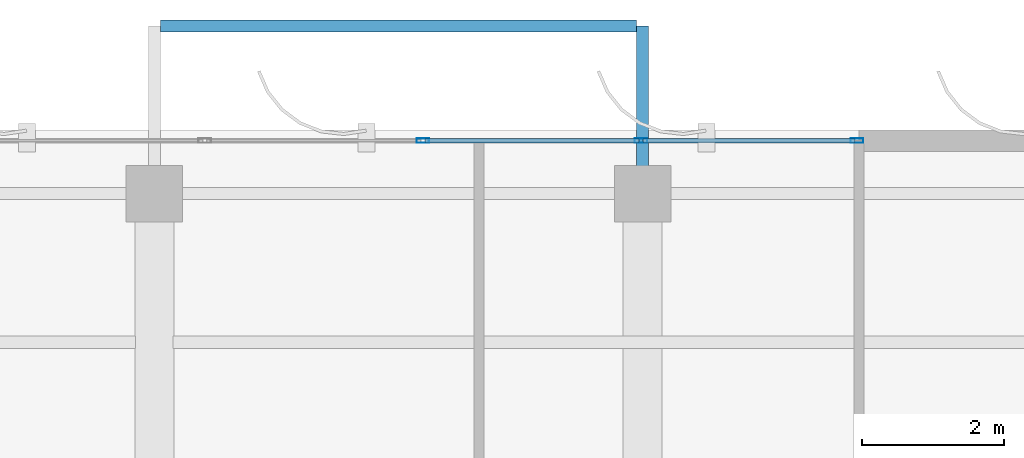
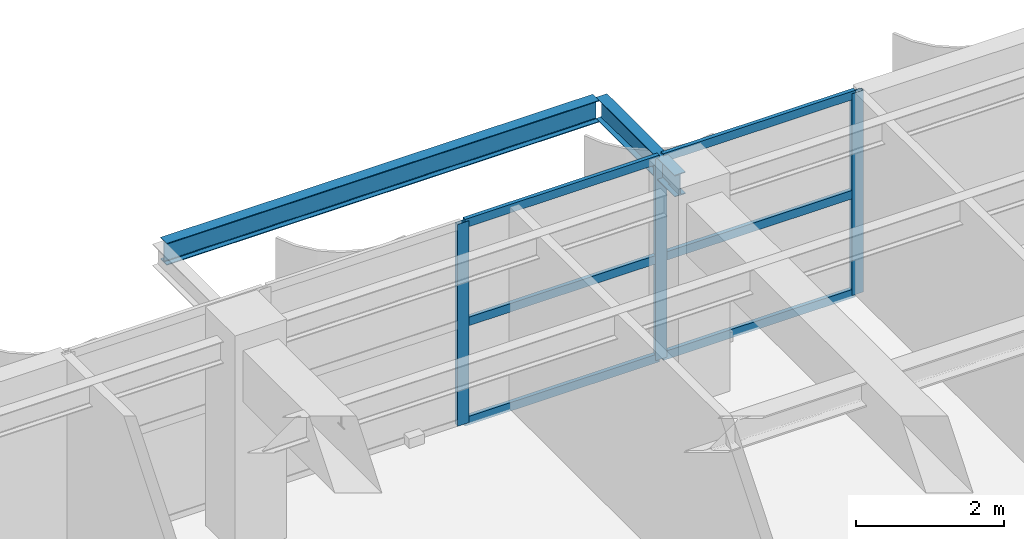
# One storey, part 16 of 23: 9 members, 2 beams, 1 element without a shape of its own.
"""IFC4 building model written with IfcOpenShell, lengths in metres."""

from ifc_helpers import new_model, si_unit, direction, frame, origin, origin_2d, place, context, subcontext, project, spatial, hollow_rectangle, i_section, extrude, source, transform, mapped, material, layer, layer_set, material_profile, profile_set, type_object, element, aggregate, save


model = new_model("IFC4")

# Units and contexts
model_context = context("Model", 3, precision=1e-05, world=origin(), true_north=direction((0.0, 1.0)))
body_context = subcontext(model_context, "Body", "Model", "MODEL_VIEW")
ifc_project = project(units=[si_unit("LENGTHUNIT", "METRE"), si_unit("AREAUNIT", "SQUARE_METRE"), si_unit("VOLUMEUNIT", "CUBIC_METRE"), si_unit("PLANEANGLEUNIT", "RADIAN"), si_unit("MASSUNIT", "GRAM", prefix="KILO")], contexts=[model_context])

# Site, building, storey
site_placement = place(None, origin())
site = spatial("IfcSite", under=ifc_project, at=site_placement, CompositionType="ELEMENT")
building_placement = place(site_placement, origin())
building = spatial("IfcBuilding", under=site, at=building_placement, Name="Khoralis Quay Care Tower", CompositionType="ELEMENT")
storey_placement = place(building_placement, frame((0.0, 0.0, 270.89990234375)))
storey = spatial("IfcBuildingStorey", under=building, at=storey_placement, Name="L71", CompositionType="ELEMENT", Elevation=270.89990234375)

# Curtain wall, members
ifc_material_1 = material(Name="Pale anodised aluminium", Category="aluminium")
ifc_layer = layer(ifc_material_1, 0.159912109375)
ifc_layer_set = layer_set([ifc_layer], Name="Pale anodised aluminium")
curtain_wall_type = type_object("IfcCurtainWallType", Name="CW-SYS-Z3", PredefinedType="NOTDEFINED", material=ifc_layer_set)
curtain_wall_placement = place(storey_placement, origin())
curtain_wall = element("IfcCurtainWall", 1, at=curtain_wall_placement, inside=storey, type_object=curtain_wall_type, Name="L71 Unitised Curtain Wall CW-L71-P1-E10", PredefinedType="NOTDEFINED")
ifc_material_profile_1 = material_profile(ifc_material_1, hollow_rectangle(XDim=0.06494140625, YDim=0.179931640625, WallThickness=0.00390625, at=origin_2d()), Name="Pale anodised aluminium")
ifc_profile_set_1 = profile_set([ifc_material_profile_1], Name="Pale anodised aluminium")
member_type_1 = type_object("IfcMemberType", Name="CW-MUL-180", PredefinedType="MULLION", material=ifc_profile_set_1)
shared_shape_1 = source(origin(), body_context, "Body", "SweptSolid", [
    extrude(hollow_rectangle(XDim=0.06494140625, YDim=0.179931640625, WallThickness=0.00390625, at=origin_2d()), origin(), (0.0, 0.0, 1.0), 3.320068359375),
])
member_1_placement = place(storey_placement, frame((27.030029296875, 41.85009765625, 0.0), z_axis=(0.0, 0.0, 1.0), x_axis=(0.0, -1.0, 0.0)))
member_1 = element("IfcMember", 2, at=member_1_placement, type_object=member_type_1, Name="CW3 mullion 1", PredefinedType="MULLION", context=body_context, shape_type="MappedRepresentation", body=[
    mapped(shared_shape_1, transform((0.0, 0.0, 0.0), scale=1.0)),
])
member_2_placement = place(storey_placement, frame((23.9775390625, 41.85009765625, 0.0), z_axis=(0.0, 0.0, 1.0), x_axis=(0.0, -1.0, 0.0)))
member_2 = element("IfcMember", 3, at=member_2_placement, type_object=member_type_1, Name="CW3 mullion 2", PredefinedType="MULLION", context=body_context, shape_type="MappedRepresentation", body=[
    mapped(shared_shape_1, transform((0.0, 0.0, 0.0), scale=1.0)),
])
member_3_placement = place(storey_placement, frame((20.89501953125, 41.85009765625, 0.0), z_axis=(0.0, 0.0, 1.0), x_axis=(0.0, -1.0, 0.0)))
member_3 = element("IfcMember", 4, at=member_3_placement, type_object=member_type_1, Name="CW3 mullion 3", PredefinedType="MULLION", context=body_context, shape_type="MappedRepresentation", body=[
    mapped(shared_shape_1, transform((0.0, 0.0, 0.0), scale=1.0)),
])

# Beams
ifc_material_2 = material(Name="Steel S355", Category="steel")
ifc_material_profile_2 = material_profile(ifc_material_2, i_section(OverallWidth=0.169921875, OverallDepth=0.360107421875, WebThickness=0.008056640625, FlangeThickness=0.0126953125, FilletRadius=0.01806640625, at=origin_2d()), Name="Steel S355")
ifc_profile_set_2 = profile_set([ifc_material_profile_2], Name="Steel S355")
beam_type = type_object("IfcBeamType", Name="BM-IPE360", PredefinedType="SPANDREL", material=ifc_profile_set_2)
shared_shape_2 = source(origin(), body_context, "Body", "SweptSolid", [
    extrude(i_section(OverallWidth=0.169921875, OverallDepth=0.360107421875, WebThickness=0.008056640625, FlangeThickness=0.0126953125, FilletRadius=0.01806640625, at=origin_2d()), origin(), (0.0, 0.0, 1.0), 2.119873046875),
])
beam_1_placement = place(storey_placement, frame((24.0, 41.35009765625, 3.14404296875), z_axis=(0.0, 1.0, 0.0), x_axis=(-1.0, 0.0, 0.0)))
element("IfcBeam", 5, at=beam_1_placement, inside=storey, type_object=beam_type, Name="L72 Balcony Cantilever Outrigger Beam 2", PredefinedType="SPANDREL", context=body_context, shape_type="MappedRepresentation", body=[
    mapped(shared_shape_2, transform((0.0, 0.0, 0.0), scale=1.0)),
])
shared_shape_3 = source(origin(), body_context, "Body", "SweptSolid", [
    extrude(i_section(OverallWidth=0.169921875, OverallDepth=0.360107421875, WebThickness=0.008056640625, FlangeThickness=0.0126953125, FilletRadius=0.01806640625, at=origin_2d()), origin(), (0.0, 0.0, 1.0), 6.72412109375),
])
beam_2_placement = place(storey_placement, frame((17.18798828125, 43.469970703125, 3.14404296875), z_axis=(1.0, 0.0, 0.0), x_axis=(0.0, 1.0, 0.0)))
element("IfcBeam", 6, at=beam_2_placement, inside=storey, type_object=beam_type, Name="L72 Balcony Edge Spandrel Beam P1E10", PredefinedType="SPANDREL", context=body_context, shape_type="MappedRepresentation", body=[
    mapped(shared_shape_3, transform((0.0, 0.0, 0.0), scale=1.0)),
])

# Member
ifc_material_profile_3 = material_profile(ifc_material_1, hollow_rectangle(XDim=0.06005859375, YDim=0.139892578125, WallThickness=0.00390625, at=origin_2d()), Name="Pale anodised aluminium")
ifc_profile_set_3 = profile_set([ifc_material_profile_3], Name="Pale anodised aluminium")
member_type_2 = type_object("IfcMemberType", Name="CW-TRN-140", PredefinedType="USERDEFINED", material=ifc_profile_set_3)
shared_shape_4 = source(origin(), body_context, "Body", "SweptSolid", [
    extrude(hollow_rectangle(XDim=0.06005859375, YDim=0.139892578125, WallThickness=0.00390625, at=origin_2d()), origin(), (0.0, 0.0, 1.0), 2.992431640625),
])
member_4_placement = place(storey_placement, frame((27.0, 41.85009765625, 0.030029296875), z_axis=(-1.0, 0.0, 0.0), x_axis=(0.0, -1.0, 0.0)))
member_4 = element("IfcMember", 7, at=member_4_placement, type_object=member_type_2, Name="CW3 transom 1.1", ObjectType="TRANSOM", PredefinedType="USERDEFINED", context=body_context, shape_type="MappedRepresentation", body=[
    mapped(shared_shape_4, transform((0.0, 0.0, 0.0), scale=1.0)),
])

member_5_placement = place(storey_placement, frame((27.0, 41.85009765625, 1.66015625), z_axis=(-1.0, 0.0, 0.0), x_axis=(0.0, -1.0, 0.0)))
member_5 = element("IfcMember", 8, at=member_5_placement, type_object=member_type_2, Name="CW3 transom 1.2", ObjectType="TRANSOM", PredefinedType="USERDEFINED", context=body_context, shape_type="MappedRepresentation", body=[
    mapped(shared_shape_4, transform((0.0, 0.0, 0.0), scale=1.0)),
])

member_6_placement = place(storey_placement, frame((27.0, 41.85009765625, 3.2900390625), z_axis=(-1.0, 0.0, 0.0), x_axis=(0.0, -1.0, 0.0)))
member_6 = element("IfcMember", 9, at=member_6_placement, type_object=member_type_2, Name="CW3 transom 1.3", ObjectType="TRANSOM", PredefinedType="USERDEFINED", context=body_context, shape_type="MappedRepresentation", body=[
    mapped(shared_shape_4, transform((0.0, 0.0, 0.0), scale=1.0)),
])

shared_shape_5 = source(origin(), body_context, "Body", "SweptSolid", [
    extrude(hollow_rectangle(XDim=0.06005859375, YDim=0.139892578125, WallThickness=0.00390625, at=origin_2d()), origin(), (0.0, 0.0, 1.0), 3.0224609375),
])
member_7_placement = place(storey_placement, frame((23.947509765625, 41.85009765625, 0.030029296875), z_axis=(-1.0, 0.0, 0.0), x_axis=(0.0, -1.0, 0.0)))
member_7 = element("IfcMember", 10, at=member_7_placement, type_object=member_type_2, Name="CW3 transom 2.1", ObjectType="TRANSOM", PredefinedType="USERDEFINED", context=body_context, shape_type="MappedRepresentation", body=[
    mapped(shared_shape_5, transform((0.0, 0.0, 0.0), scale=1.0)),
])

member_8_placement = place(storey_placement, frame((23.947509765625, 41.85009765625, 1.66015625), z_axis=(-1.0, 0.0, 0.0), x_axis=(0.0, -1.0, 0.0)))
member_8 = element("IfcMember", 11, at=member_8_placement, type_object=member_type_2, Name="CW3 transom 2.2", ObjectType="TRANSOM", PredefinedType="USERDEFINED", context=body_context, shape_type="MappedRepresentation", body=[
    mapped(shared_shape_5, transform((0.0, 0.0, 0.0), scale=1.0)),
])

member_9_placement = place(storey_placement, frame((23.947509765625, 41.85009765625, 3.2900390625), z_axis=(-1.0, 0.0, 0.0), x_axis=(0.0, -1.0, 0.0)))
member_9 = element("IfcMember", 12, at=member_9_placement, type_object=member_type_2, Name="CW3 transom 2.3", ObjectType="TRANSOM", PredefinedType="USERDEFINED", context=body_context, shape_type="MappedRepresentation", body=[
    mapped(shared_shape_5, transform((0.0, 0.0, 0.0), scale=1.0)),
])

aggregate(curtain_wall, [member_1, member_2, member_3, member_4, member_5, member_6, member_7, member_8, member_9])

save(model, "model.ifc")
